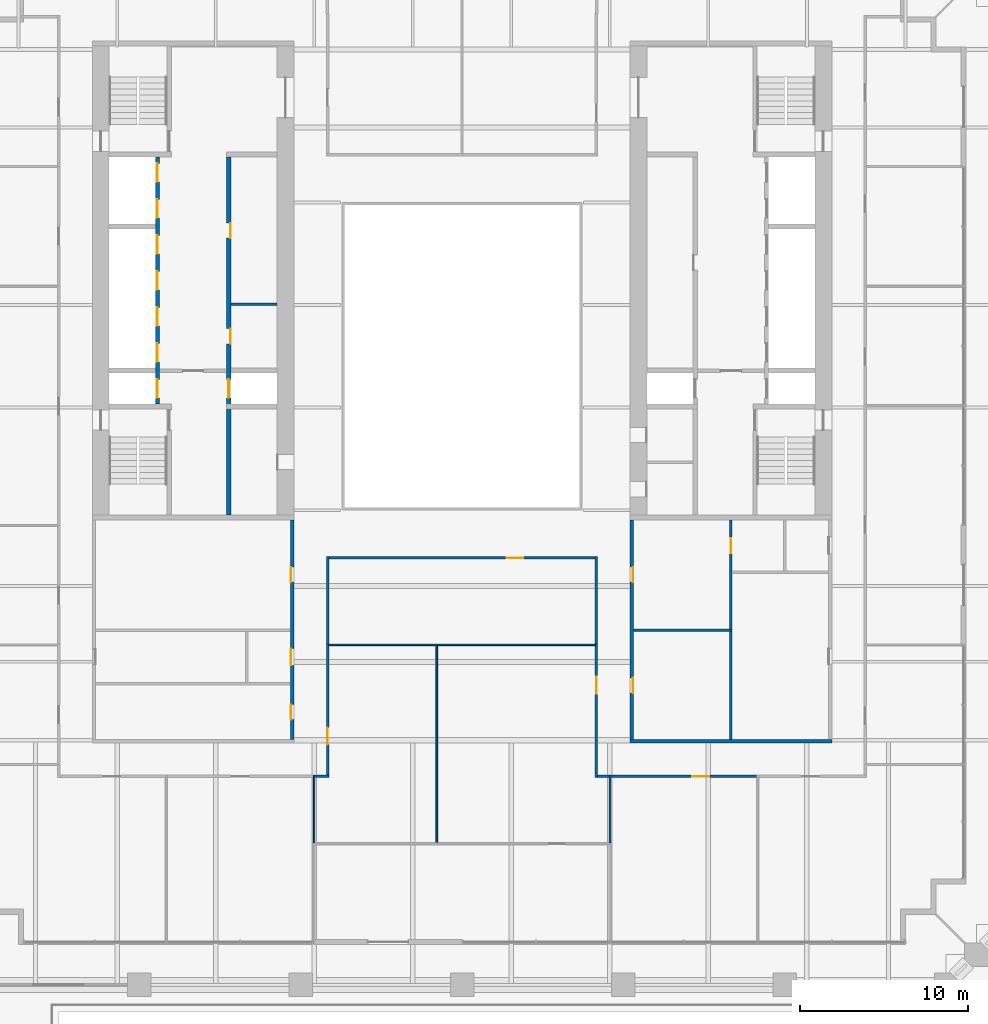
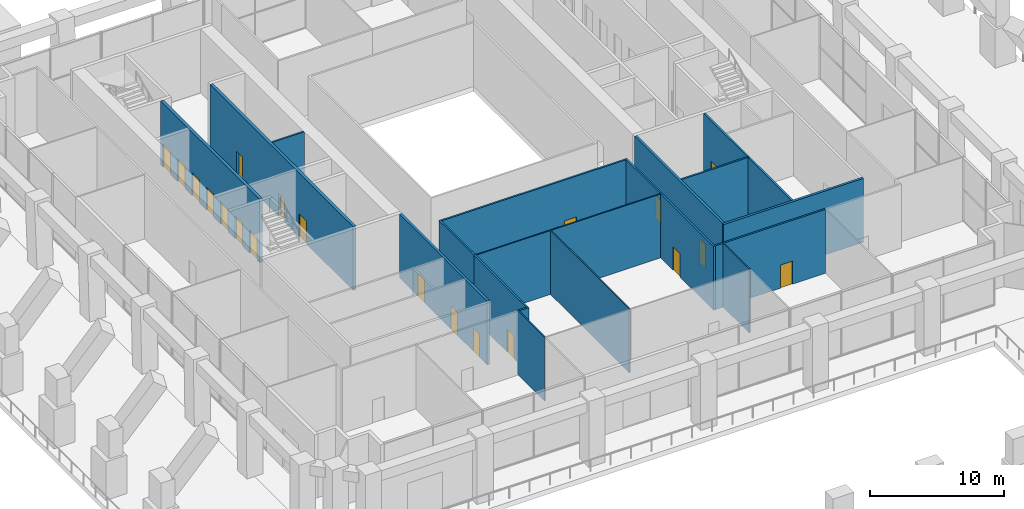
# One storey, part 13 of 20: 21 walls, 20 doors, 20 openings.
"""IFC4 building model written with IfcOpenShell, lengths in metres."""

from ifc_helpers import new_model, si_unit, direction, frame, frame_2d, origin, place, context, subcontext, project, spatial, rectangle, extrude, material, layer, layer_set, type_object, element, fill, save


model = new_model("IFC4")

# Units and contexts
model_context = context("Model", 3, precision=1e-05, world=origin(), true_north=direction((0.0, 1.0)))
body_context = subcontext(model_context, "Body", "Model", "MODEL_VIEW")
ifc_project = project(units=[si_unit("LENGTHUNIT", "METRE"), si_unit("AREAUNIT", "SQUARE_METRE"), si_unit("VOLUMEUNIT", "CUBIC_METRE"), si_unit("PLANEANGLEUNIT", "RADIAN"), si_unit("MASSUNIT", "GRAM", prefix="KILO")], contexts=[model_context])

# Site, building, storey
site_placement = place(None, origin())
site = spatial("IfcSite", under=ifc_project, at=site_placement, CompositionType="ELEMENT")
building_placement = place(site_placement, origin())
building = spatial("IfcBuilding", under=site, at=building_placement, Name="Ogive Exchange Tower", CompositionType="ELEMENT")
storey_placement = place(building_placement, frame((0.0, 0.0, 33.60009765625)))
storey = spatial("IfcBuildingStorey", under=building, at=storey_placement, Name="L06", CompositionType="ELEMENT", Elevation=33.60009765625)

# Wall
ifc_material_1 = material(Name="Gypsum board partition")
ifc_layer_1 = layer(ifc_material_1, 0.14990234375)
ifc_layer_set_1 = layer_set([ifc_layer_1], Name="Core room partition 150 gypsum")
wall_type_1 = type_object("IfcWallType", Name="Core room partition 150 gypsum", PredefinedType="PARTITIONING", material=ifc_layer_set_1)
wall_1_placement = place(storey_placement, frame((-13.75, 10.10009765625, 0.0), z_axis=(0.0, 0.0, 1.0), x_axis=(1.0, 0.0, 0.0)))
element("IfcWall", 1, at=wall_1_placement, inside=storey, type_object=wall_type_1, Name="W row B bay partition 1-1", PredefinedType="PARTITIONING", context=body_context, shape_type="SweptSolid", body=[
    extrude(rectangle(XDim=2.75, YDim=0.14990234375, at=frame_2d((1.375, 0.0))), origin(), (0.0, 0.0, 1.0), 5.7998046875),
])

# Wall, opening, door
wall_2_placement = place(storey_placement, frame((16.0, -15.800048828125, 0.0), z_axis=(0.0, 0.0, 1.0), x_axis=(0.0, 1.0, 0.0)))
wall_2 = element("IfcWall", 2, at=wall_2_placement, inside=storey, type_object=wall_type_1, Name="E annex S column wall", PredefinedType="PARTITIONING", context=body_context, shape_type="SweptSolid", body=[
    extrude(rectangle(XDim=13.050048828125, YDim=0.14990234375, at=frame_2d((6.52490234375, 0.0))), origin(), (0.0, 0.0, 1.0), 5.7998046875),
])
opening_1_placement = place(wall_2_placement, frame((11.08740234375, 0.0, 0.0)))
opening_1 = element("IfcOpeningElement", 3, at=opening_1_placement, cuts=wall_2, Name="Opening L06-C41", PredefinedType="OPENING", context=body_context, shape_type="SweptSolid", body=[
    extrude(rectangle(XDim=0.89990234375, YDim=2.10009765625, at=frame_2d((0.449951171875, 1.050048828125))), frame((0.0, 0.0849609375, 0.0), z_axis=(0.0, -1.0, 0.0), x_axis=(1.0, 0.0, 0.0)), (0.0, 0.0, 1.0), 0.169921875),
])
ifc_material_2 = material(Name="Steel fire door", Category="steel")
door_type_1 = type_object("IfcDoorType", Name="Riser door FD60 900 x 2100", OperationType="NOTDEFINED", PredefinedType="DOOR", material=ifc_material_2)
door_1_placement = place(opening_1_placement, origin())
door_1 = element("IfcDoor", 4, at=door_1_placement, inside=storey, type_object=door_type_1, Name="Riser door", ObjectType="CD2", OperationType="SINGLE_SWING_LEFT", OverallHeight=2.10009765625, OverallWidth=0.89990234375, PredefinedType="DOOR", context=body_context, shape_type="SweptSolid", body=[
    extrude(rectangle(XDim=0.89990234375, YDim=2.10009765625, at=frame_2d((0.449951171875, 1.050048828125))), frame((0.0, 0.02490234375, 0.0), z_axis=(0.0, -1.0, 0.0), x_axis=(1.0, 0.0, 0.0)), (0.0, 0.0, 1.0), 0.050048828125),
])
fill(opening_1, door_1)

# Walls
wall_3_placement = place(storey_placement, frame((10.199951171875, -9.300048828125, 0.0), z_axis=(0.0, 0.0, 1.0), x_axis=(1.0, 0.0, 0.0)))
element("IfcWall", 5, at=wall_3_placement, inside=storey, type_object=wall_type_1, Name="E annex S cross wall", PredefinedType="PARTITIONING", context=body_context, shape_type="SweptSolid", body=[
    extrude(rectangle(XDim=5.800048828125, YDim=0.14990234375, at=frame_2d((2.89990234375, 0.0))), origin(), (0.0, 0.0, 1.0), 5.7998046875),
])
ifc_material_3 = material(Name="Fire partition EI 60 150")
ifc_layer_2 = layer(ifc_material_3, 0.14990234375)
ifc_layer_set_2 = layer_set([ifc_layer_2], Name="Fire partition EI 60 150")
wall_type_2 = type_object("IfcWallType", Name="Fire partition EI 60 150", PredefinedType="PARTITIONING", material=ifc_layer_set_2)
wall_4_placement = place(storey_placement, frame((-7.925048828125, -18.0, 0.0), z_axis=(0.0, 0.0, 1.0), x_axis=(-1.0, 0.0, 0.0)))
element("IfcWall", 6, at=wall_4_placement, inside=storey, type_object=wall_type_2, Name="L06-PWL-020", PredefinedType="PARTITIONING", context=body_context, shape_type="SweptSolid", body=[
    extrude(rectangle(XDim=0.824951171875, YDim=0.14990234375, at=frame_2d((0.41259765625, 0.0))), origin(), (0.0, 0.0, 1.0), 5.7998046875),
])

# Wall, opening, door
wall_5_placement = place(storey_placement, frame((-8.0, -10.1201171875, 0.0), z_axis=(0.0, 0.0, 1.0), x_axis=(0.0, -1.0, 0.0)))
wall_5 = element("IfcWall", 7, at=wall_5_placement, inside=storey, type_object=wall_type_2, Name="L06-PWL-021", PredefinedType="PARTITIONING", context=body_context, shape_type="SweptSolid", body=[
    extrude(rectangle(XDim=7.804931640625, YDim=0.14990234375, at=frame_2d((3.90234375, 0.0))), origin(), (0.0, 0.0, 1.0), 5.7998046875),
])
opening_2_placement = place(wall_5_placement, frame((4.97998046875, 0.0, 0.0)))
opening_2 = element("IfcOpeningElement", 8, at=opening_2_placement, cuts=wall_5, Name="Opening L06-I17", PredefinedType="OPENING", context=body_context, shape_type="SweptSolid", body=[
    extrude(rectangle(XDim=1.0, YDim=2.10009765625, at=frame_2d((0.5, 1.050048828125))), frame((0.0, 0.0849609375, 0.0), z_axis=(0.0, -1.0, 0.0), x_axis=(1.0, 0.0, 0.0)), (0.0, 0.0, 1.0), 0.169921875),
])
ifc_material_4 = material(Name="Fire door FD 30S 1000 x 2100")
door_type_2 = type_object("IfcDoorType", Name="Fire door FD 30S 1000 x 2100", OperationType="NOTDEFINED", PredefinedType="DOOR", material=ifc_material_4)
door_2_placement = place(opening_2_placement, origin())
door_2 = element("IfcDoor", 9, at=door_2_placement, inside=storey, type_object=door_type_2, Name="L06-IDR-017", ObjectType="DT3", OperationType="SINGLE_SWING_LEFT", OverallHeight=2.10009765625, OverallWidth=1.0, PredefinedType="DOOR", context=body_context, shape_type="SweptSolid", body=[
    extrude(rectangle(XDim=1.0, YDim=2.10009765625, at=frame_2d((0.5, 1.050048828125))), frame((0.0, 0.02490234375, 0.0), z_axis=(0.0, -1.0, 0.0), x_axis=(1.0, 0.0, 0.0)), (0.0, 0.0, 1.0), 0.050048828125),
])
fill(opening_2, door_2)

# Wall
wall_6_placement = place(storey_placement, frame((-8.0, -4.925048828125, 0.0), z_axis=(0.0, 0.0, 1.0), x_axis=(0.0, -1.0, 0.0)))
element("IfcWall", 10, at=wall_6_placement, inside=storey, type_object=wall_type_2, Name="L06-PWL-022", PredefinedType="PARTITIONING", context=body_context, shape_type="SweptSolid", body=[
    extrude(rectangle(XDim=5.195068359375, YDim=0.14990234375, at=frame_2d((2.59765625, 0.0))), origin(), (0.0, 0.0, 1.0), 5.7998046875),
])

# Wall, opening, door
wall_7_placement = place(storey_placement, frame((8.0, -18.074951171875, 0.0), z_axis=(0.0, 0.0, 1.0), x_axis=(0.0, 1.0, 0.0)))
wall_7 = element("IfcWall", 11, at=wall_7_placement, inside=storey, type_object=wall_type_2, Name="L06-PWL-030", PredefinedType="PARTITIONING", context=body_context, shape_type="SweptSolid", body=[
    extrude(rectangle(XDim=7.954833984375, YDim=0.14990234375, at=frame_2d((3.9775390625, 0.0))), origin(), (0.0, 0.0, 1.0), 5.7998046875),
])
opening_3_placement = place(wall_7_placement, frame((5.0048828125, 0.0, 0.0)))
opening_3 = element("IfcOpeningElement", 12, at=opening_3_placement, cuts=wall_7, Name="Opening L06-I16", PredefinedType="OPENING", context=body_context, shape_type="SweptSolid", body=[
    extrude(rectangle(XDim=1.0, YDim=2.10009765625, at=frame_2d((0.5, 1.050048828125))), frame((0.0, 0.0849609375, 0.0), z_axis=(0.0, -1.0, 0.0), x_axis=(1.0, 0.0, 0.0)), (0.0, 0.0, 1.0), 0.169921875),
])
door_3_placement = place(opening_3_placement, origin())
door_3 = element("IfcDoor", 13, at=door_3_placement, inside=storey, type_object=door_type_2, Name="L06-IDR-016", ObjectType="DT3", OperationType="SINGLE_SWING_LEFT", OverallHeight=2.10009765625, OverallWidth=1.0, PredefinedType="DOOR", context=body_context, shape_type="SweptSolid", body=[
    extrude(rectangle(XDim=1.0, YDim=2.10009765625, at=frame_2d((0.5, 1.050048828125))), frame((0.0, 0.02490234375, 0.0), z_axis=(0.0, -1.0, 0.0), x_axis=(1.0, 0.0, 0.0)), (0.0, 0.0, 1.0), 0.050048828125),
])
fill(opening_3, door_3)

# Wall
wall_8_placement = place(storey_placement, frame((8.0, -10.1201171875, 0.0), z_axis=(0.0, 0.0, 1.0), x_axis=(0.0, 1.0, 0.0)))
element("IfcWall", 14, at=wall_8_placement, inside=storey, type_object=wall_type_2, Name="L06-PWL-032", PredefinedType="PARTITIONING", context=body_context, shape_type="SweptSolid", body=[
    extrude(rectangle(XDim=5.195068359375, YDim=0.14990234375, at=frame_2d((2.59765625, 0.0))), origin(), (0.0, 0.0, 1.0), 5.7998046875),
])

# Wall, opening, door
wall_9_placement = place(storey_placement, frame((7.925048828125, -5.0, 0.0), z_axis=(0.0, 0.0, 1.0), x_axis=(-1.0, 0.0, 0.0)))
wall_9 = element("IfcWall", 15, at=wall_9_placement, inside=storey, type_object=wall_type_2, Name="L06-PWL-033", PredefinedType="PARTITIONING", context=body_context, shape_type="SweptSolid", body=[
    extrude(rectangle(XDim=15.85009765625, YDim=0.14990234375, at=frame_2d((7.925048828125, 0.0))), origin(), (0.0, 0.0, 1.0), 5.7998046875),
])
opening_4_placement = place(wall_9_placement, frame((4.27490234375, 0.0, 0.0)))
opening_4 = element("IfcOpeningElement", 16, at=opening_4_placement, cuts=wall_9, Name="Opening L06-I12", PredefinedType="OPENING", context=body_context, shape_type="SweptSolid", body=[
    extrude(rectangle(XDim=1.0, YDim=2.10009765625, at=frame_2d((0.5, 1.050048828125))), frame((0.0, 0.0849609375, 0.0), z_axis=(0.0, -1.0, 0.0), x_axis=(1.0, 0.0, 0.0)), (0.0, 0.0, 1.0), 0.169921875),
])
door_4_placement = place(opening_4_placement, origin())
door_4 = element("IfcDoor", 17, at=door_4_placement, inside=storey, type_object=door_type_2, Name="L06-IDR-012", ObjectType="DT3", OperationType="SINGLE_SWING_RIGHT", OverallHeight=2.10009765625, OverallWidth=1.0, PredefinedType="DOOR", context=body_context, shape_type="SweptSolid", body=[
    extrude(rectangle(XDim=1.0, YDim=2.10009765625, at=frame_2d((0.5, 1.050048828125))), frame((0.0, 0.02490234375, 0.0), z_axis=(0.0, -1.0, 0.0), x_axis=(1.0, 0.0, 0.0)), (0.0, 0.0, 1.0), 0.050048828125),
])
fill(opening_4, door_4)

# Wall
wall_10_placement = place(storey_placement, frame((8.75, -18.0, 0.0), z_axis=(0.0, 0.0, 1.0), x_axis=(-1.0, 0.0, 0.0)))
element("IfcWall", 18, at=wall_10_placement, inside=storey, type_object=wall_type_2, Name="L06-PWL-038", PredefinedType="PARTITIONING", context=body_context, shape_type="SweptSolid", body=[
    extrude(rectangle(XDim=0.675048828125, YDim=0.14990234375, at=frame_2d((0.33740234375, 0.0))), origin(), (0.0, 0.0, 1.0), 5.7998046875),
])

# Wall, opening, door
wall_11_placement = place(storey_placement, frame((17.550048828125, -18.0, 0.0), z_axis=(0.0, 0.0, 1.0), x_axis=(-1.0, 0.0, 0.0)))
wall_11 = element("IfcWall", 19, at=wall_11_placement, inside=storey, type_object=wall_type_2, Name="L06-PWL-040", PredefinedType="PARTITIONING", context=body_context, shape_type="SweptSolid", body=[
    extrude(rectangle(XDim=8.699951171875, YDim=0.14990234375, at=frame_2d((4.35009765625, 0.0))), origin(), (0.0, 0.0, 1.0), 5.7998046875),
])
opening_5_placement = place(wall_11_placement, frame((2.85009765625, 0.0, 0.0)))
opening_5 = element("IfcOpeningElement", 20, at=opening_5_placement, cuts=wall_11, Name="Opening L06-I14", PredefinedType="OPENING", context=body_context, shape_type="SweptSolid", body=[
    extrude(rectangle(XDim=1.0, YDim=2.10009765625, at=frame_2d((0.5, 1.050048828125))), frame((0.0, 0.0849609375, 0.0), z_axis=(0.0, -1.0, 0.0), x_axis=(1.0, 0.0, 0.0)), (0.0, 0.0, 1.0), 0.169921875),
])
door_5_placement = place(opening_5_placement, origin())
door_5 = element("IfcDoor", 21, at=door_5_placement, inside=storey, type_object=door_type_2, Name="L06-IDR-014", ObjectType="DT3", OperationType="SINGLE_SWING_RIGHT", OverallHeight=2.10009765625, OverallWidth=1.0, PredefinedType="DOOR", context=body_context, shape_type="SweptSolid", body=[
    extrude(rectangle(XDim=1.0, YDim=2.10009765625, at=frame_2d((0.5, 1.050048828125))), frame((0.0, 0.02490234375, 0.0), z_axis=(0.0, -1.0, 0.0), x_axis=(1.0, 0.0, 0.0)), (0.0, 0.0, 1.0), 0.050048828125),
])
fill(opening_5, door_5)

# Walls
ifc_material_5 = material(Name="Partition 100 gypsum")
ifc_layer_3 = layer(ifc_material_5, 0.10009765625)
ifc_layer_set_3 = layer_set([ifc_layer_3], Name="Partition 100 gypsum")
wall_type_3 = type_object("IfcWallType", Name="Partition 100 gypsum", PredefinedType="PARTITIONING", material=ifc_layer_set_3)
wall_12_placement = place(storey_placement, frame((-8.800048828125, -21.949951171875, 0.0), z_axis=(0.0, 0.0, 1.0), x_axis=(0.0, 1.0, 0.0)))
element("IfcWall", 22, at=wall_12_placement, inside=storey, type_object=wall_type_3, Name="L06-PWL-016", PredefinedType="PARTITIONING", context=body_context, shape_type="SweptSolid", body=[
    extrude(rectangle(XDim=4.02490234375, YDim=0.10009765625, at=frame_2d((2.012451171875, 0.0))), origin(), (0.0, 0.0, 1.0), 5.7998046875),
])
wall_13_placement = place(storey_placement, frame((-1.5, -21.949951171875, 0.0), z_axis=(0.0, 0.0, 1.0), x_axis=(0.0, 1.0, 0.0)))
element("IfcWall", 23, at=wall_13_placement, inside=storey, type_object=wall_type_3, Name="L06-PWL-025", PredefinedType="PARTITIONING", context=body_context, shape_type="SweptSolid", body=[
    extrude(rectangle(XDim=11.829833984375, YDim=0.10009765625, at=frame_2d((5.9150390625, 0.0))), origin(), (0.0, 0.0, 1.0), 5.7998046875),
])
wall_14_placement = place(storey_placement, frame((-1.550048828125, -10.169921875, 0.0), z_axis=(0.0, 0.0, 1.0), x_axis=(-1.0, 0.0, 0.0)))
element("IfcWall", 24, at=wall_14_placement, inside=storey, type_object=wall_type_3, Name="L06-PWL-027", PredefinedType="PARTITIONING", context=body_context, shape_type="SweptSolid", body=[
    extrude(rectangle(XDim=6.375, YDim=0.10009765625, at=frame_2d((3.1875, 0.0))), origin(), (0.0, 0.0, 1.0), 5.7998046875),
])
wall_15_placement = place(storey_placement, frame((7.925048828125, -10.169921875, 0.0), z_axis=(0.0, 0.0, 1.0), x_axis=(-1.0, 0.0, 0.0)))
element("IfcWall", 25, at=wall_15_placement, inside=storey, type_object=wall_type_3, Name="L06-PWL-031", PredefinedType="PARTITIONING", context=body_context, shape_type="SweptSolid", body=[
    extrude(rectangle(XDim=9.375, YDim=0.10009765625, at=frame_2d((4.6875, 0.0))), origin(), (0.0, 0.0, 1.0), 5.7998046875),
])
wall_16_placement = place(storey_placement, frame((8.800048828125, -21.949951171875, 0.0), z_axis=(0.0, 0.0, 1.0), x_axis=(0.0, 1.0, 0.0)))
element("IfcWall", 26, at=wall_16_placement, inside=storey, type_object=wall_type_3, Name="L06-PWL-037", PredefinedType="PARTITIONING", context=body_context, shape_type="SweptSolid", body=[
    extrude(rectangle(XDim=4.02490234375, YDim=0.10009765625, at=frame_2d((2.012451171875, 0.0))), origin(), (0.0, 0.0, 1.0), 5.7998046875),
])

# Wall, openings, doors
ifc_material_6 = material(Name="Concrete C70/85", Category="concrete")
ifc_layer_4 = layer(ifc_material_6, 0.199951171875)
ifc_layer_set_4 = layer_set([ifc_layer_4], Name="RC core wall 200 C70/85")
wall_type_4 = type_object("IfcWallType", Name="RC core wall 200 C70/85", PredefinedType="SHEAR", material=ifc_layer_set_4)
wall_17_placement = place(storey_placement, frame((-10.10009765625, -15.800048828125, 0.0), z_axis=(0.0, 0.0, 1.0), x_axis=(0.0, 1.0, 0.0)))
wall_17 = element("IfcWall", 27, at=wall_17_placement, inside=storey, type_object=wall_type_4, Name="W annex S inner wall", PredefinedType="SHEAR", context=body_context, shape_type="SweptSolid", body=[
    extrude(rectangle(XDim=13.050048828125, YDim=0.199951171875, at=frame_2d((6.52490234375, 0.0))), origin(), (0.0, 0.0, 1.0), 5.7998046875),
])
opening_6_placement = place(wall_17_placement, frame((1.175048828125, 0.0, 0.0)))
opening_6 = element("IfcOpeningElement", 28, at=opening_6_placement, cuts=wall_17, Name="Opening L06-C18", PredefinedType="OPENING", context=body_context, shape_type="SweptSolid", body=[
    extrude(rectangle(XDim=0.89990234375, YDim=2.10009765625, at=frame_2d((0.449951171875, 1.050048828125))), frame((0.0, 0.10986328125, 0.0), z_axis=(0.0, -1.0, 0.0), x_axis=(1.0, 0.0, 0.0)), (0.0, 0.0, 1.0), 0.219970703125),
])
opening_7_placement = place(wall_17_placement, frame((4.41259765625, 0.0, 0.0)))
opening_7 = element("IfcOpeningElement", 29, at=opening_7_placement, cuts=wall_17, Name="Opening L06-C19", PredefinedType="OPENING", context=body_context, shape_type="SweptSolid", body=[
    extrude(rectangle(XDim=1.0, YDim=2.10009765625, at=frame_2d((0.5, 1.050048828125))), frame((0.0, 0.10986328125, 0.0), z_axis=(0.0, -1.0, 0.0), x_axis=(1.0, 0.0, 0.0)), (0.0, 0.0, 1.0), 0.219970703125),
])
opening_8_placement = place(wall_17_placement, frame((9.362548828125, 0.0, 0.0)))
opening_8 = element("IfcOpeningElement", 30, at=opening_8_placement, cuts=wall_17, Name="Opening L06-C21", PredefinedType="OPENING", context=body_context, shape_type="SweptSolid", body=[
    extrude(rectangle(XDim=0.89990234375, YDim=2.10009765625, at=frame_2d((0.449951171875, 1.050048828125))), frame((0.0, 0.10986328125, 0.0), z_axis=(0.0, -1.0, 0.0), x_axis=(1.0, 0.0, 0.0)), (0.0, 0.0, 1.0), 0.219970703125),
])
ifc_material_7 = material(Name="Timber fire door", Category="wood")
door_type_3 = type_object("IfcDoorType", Name="Accessible WC door FD30S 1000 x 2100", OperationType="NOTDEFINED", PredefinedType="DOOR", material=ifc_material_7)
door_6_placement = place(opening_7_placement, origin())
door_6 = element("IfcDoor", 31, at=door_6_placement, inside=storey, type_object=door_type_3, Name="Accessible WC door", ObjectType="CD7", OperationType="SINGLE_SWING_RIGHT", OverallHeight=2.10009765625, OverallWidth=1.0, PredefinedType="DOOR", context=body_context, shape_type="SweptSolid", body=[
    extrude(rectangle(XDim=1.0, YDim=2.10009765625, at=frame_2d((0.5, 1.050048828125))), frame((0.0, 0.10009765625, 0.0), z_axis=(0.0, -1.0, 0.0), x_axis=(1.0, 0.0, 0.0)), (0.0, 0.0, 1.0), 0.050048828125),
])
fill(opening_7, door_6)
door_type_4 = type_object("IfcDoorType", Name="Core room door FD30S 900 x 2100", OperationType="NOTDEFINED", PredefinedType="DOOR", material=ifc_material_7)
door_7_placement = place(opening_8_placement, origin())
door_7 = element("IfcDoor", 32, at=door_7_placement, inside=storey, type_object=door_type_4, Name="Core room door", ObjectType="CD6", OperationType="SINGLE_SWING_LEFT", OverallHeight=2.10009765625, OverallWidth=0.89990234375, PredefinedType="DOOR", context=body_context, shape_type="SweptSolid", body=[
    extrude(rectangle(XDim=0.89990234375, YDim=2.10009765625, at=frame_2d((0.449951171875, 1.050048828125))), frame((0.0, 0.10009765625, 0.0), z_axis=(0.0, -1.0, 0.0), x_axis=(1.0, 0.0, 0.0)), (0.0, 0.0, 1.0), 0.050048828125),
])
fill(opening_8, door_7)
door_8_placement = place(opening_6_placement, origin())
door_8 = element("IfcDoor", 33, at=door_8_placement, inside=storey, type_object=door_type_1, Name="Riser door", ObjectType="CD2", OperationType="SINGLE_SWING_RIGHT", OverallHeight=2.10009765625, OverallWidth=0.89990234375, PredefinedType="DOOR", context=body_context, shape_type="SweptSolid", body=[
    extrude(rectangle(XDim=0.89990234375, YDim=2.10009765625, at=frame_2d((0.449951171875, 1.050048828125))), frame((0.0, 0.10009765625, 0.0), z_axis=(0.0, -1.0, 0.0), x_axis=(1.0, 0.0, 0.0)), (0.0, 0.0, 1.0), 0.050048828125),
])
fill(opening_6, door_8)

wall_18_placement = place(storey_placement, frame((10.10009765625, -15.800048828125, 0.0), z_axis=(0.0, 0.0, 1.0), x_axis=(0.0, 1.0, 0.0)))
wall_18 = element("IfcWall", 34, at=wall_18_placement, inside=storey, type_object=wall_type_4, Name="E annex S inner wall", PredefinedType="SHEAR", context=body_context, shape_type="SweptSolid", body=[
    extrude(rectangle(XDim=13.050048828125, YDim=0.199951171875, at=frame_2d((6.52490234375, 0.0))), origin(), (0.0, 0.0, 1.0), 5.7998046875),
])
opening_9_placement = place(wall_18_placement, frame((2.762451171875, 0.0, 0.0)))
opening_9 = element("IfcOpeningElement", 35, at=opening_9_placement, cuts=wall_18, Name="Opening L06-C42", PredefinedType="OPENING", context=body_context, shape_type="SweptSolid", body=[
    extrude(rectangle(XDim=0.89990234375, YDim=2.10009765625, at=frame_2d((0.449951171875, 1.050048828125))), frame((0.0, 0.10986328125, 0.0), z_axis=(0.0, -1.0, 0.0), x_axis=(1.0, 0.0, 0.0)), (0.0, 0.0, 1.0), 0.219970703125),
])
opening_10_placement = place(wall_18_placement, frame((9.362548828125, 0.0, 0.0)))
opening_10 = element("IfcOpeningElement", 36, at=opening_10_placement, cuts=wall_18, Name="Opening L06-C43", PredefinedType="OPENING", context=body_context, shape_type="SweptSolid", body=[
    extrude(rectangle(XDim=0.89990234375, YDim=2.10009765625, at=frame_2d((0.449951171875, 1.050048828125))), frame((0.0, 0.10986328125, 0.0), z_axis=(0.0, -1.0, 0.0), x_axis=(1.0, 0.0, 0.0)), (0.0, 0.0, 1.0), 0.219970703125),
])
door_9_placement = place(opening_9_placement, frame((0.89990234375, -0.14990234375, 0.0), z_axis=(0.0, 0.0, 1.0), x_axis=(-1.0, 0.0, 0.0)))
door_9 = element("IfcDoor", 37, at=door_9_placement, inside=storey, type_object=door_type_1, Name="Riser door", ObjectType="CD2", OperationType="SINGLE_SWING_RIGHT", OverallHeight=2.10009765625, OverallWidth=0.89990234375, PredefinedType="DOOR", context=body_context, shape_type="SweptSolid", body=[
    extrude(rectangle(XDim=0.89990234375, YDim=2.10009765625, at=frame_2d((0.449951171875, 1.050048828125))), frame((0.0, -0.0498046875, 0.0), z_axis=(0.0, -1.0, 0.0), x_axis=(1.0, 0.0, 0.0)), (0.0, 0.0, 1.0), 0.050048828125),
])
fill(opening_9, door_9)
door_10_placement = place(opening_10_placement, frame((0.89990234375, -0.14990234375, 0.0), z_axis=(0.0, 0.0, 1.0), x_axis=(-1.0, 0.0, 0.0)))
door_10 = element("IfcDoor", 38, at=door_10_placement, inside=storey, type_object=door_type_1, Name="Riser door", ObjectType="CD2", OperationType="SINGLE_SWING_RIGHT", OverallHeight=2.10009765625, OverallWidth=0.89990234375, PredefinedType="DOOR", context=body_context, shape_type="SweptSolid", body=[
    extrude(rectangle(XDim=0.89990234375, YDim=2.10009765625, at=frame_2d((0.449951171875, 1.050048828125))), frame((0.0, -0.0498046875, 0.0), z_axis=(0.0, -1.0, 0.0), x_axis=(1.0, 0.0, 0.0)), (0.0, 0.0, 1.0), 0.050048828125),
])
fill(opening_10, door_10)

# Wall
wall_19_placement = place(storey_placement, frame((10.0, -15.89990234375, 0.0), z_axis=(0.0, 0.0, 1.0), x_axis=(1.0, 0.0, 0.0)))
element("IfcWall", 39, at=wall_19_placement, inside=storey, type_object=wall_type_4, Name="E annex S end wall", PredefinedType="SHEAR", context=body_context, shape_type="SweptSolid", body=[
    extrude(rectangle(XDim=12.0, YDim=0.199951171875, at=frame_2d((6.0, 0.0))), origin(), (0.0, 0.0, 1.0), 5.7998046875),
])

# Wall, openings, doors
ifc_layer_5 = layer(ifc_material_6, 0.25)
ifc_layer_set_5 = layer_set([ifc_layer_5], Name="RC core wall 250 C70/85")
wall_type_5 = type_object("IfcWallType", Name="RC core wall 250 C70/85", PredefinedType="SHEAR", material=ifc_layer_set_5)
wall_20_placement = place(storey_placement, frame((-18.125, 4.14990234375, 0.0), z_axis=(0.0, 0.0, 1.0), x_axis=(0.0, 1.0, 0.0)))
wall_20 = element("IfcWall", 40, at=wall_20_placement, inside=storey, type_object=wall_type_5, Name="W row A front wall", PredefinedType="SHEAR", context=body_context, shape_type="SweptSolid", body=[
    extrude(rectangle(XDim=14.7001953125, YDim=0.25, at=frame_2d((7.35009765625, 0.0))), origin(), (0.0, 0.0, 1.0), 5.7998046875),
])
opening_11_placement = place(wall_20_placement, frame((0.371337890625, 0.0, 0.0)))
opening_11 = element("IfcOpeningElement", 41, at=opening_11_placement, cuts=wall_20, Name="Opening L06-C01", PredefinedType="OPENING", context=body_context, shape_type="SweptSolid", body=[
    extrude(rectangle(XDim=1.10009765625, YDim=2.10009765625, at=frame_2d((0.550048828125, 1.050048828125))), frame((0.0, 0.135009765625, 0.0), z_axis=(0.0, -1.0, 0.0), x_axis=(1.0, 0.0, 0.0)), (0.0, 0.0, 1.0), 0.27001953125),
])
opening_12_placement = place(wall_20_placement, frame((2.514404296875, 0.0, 0.0)))
opening_12 = element("IfcOpeningElement", 42, at=opening_12_placement, cuts=wall_20, Name="Opening L06-C02", PredefinedType="OPENING", context=body_context, shape_type="SweptSolid", body=[
    extrude(rectangle(XDim=1.10009765625, YDim=2.10009765625, at=frame_2d((0.550048828125, 1.050048828125))), frame((0.0, 0.135009765625, 0.0), z_axis=(0.0, -1.0, 0.0), x_axis=(1.0, 0.0, 0.0)), (0.0, 0.0, 1.0), 0.27001953125),
])
opening_13_placement = place(wall_20_placement, frame((4.656982421875, 0.0, 0.0)))
opening_13 = element("IfcOpeningElement", 43, at=opening_13_placement, cuts=wall_20, Name="Opening L06-C03", PredefinedType="OPENING", context=body_context, shape_type="SweptSolid", body=[
    extrude(rectangle(XDim=1.10009765625, YDim=2.10009765625, at=frame_2d((0.550048828125, 1.050048828125))), frame((0.0, 0.135009765625, 0.0), z_axis=(0.0, -1.0, 0.0), x_axis=(1.0, 0.0, 0.0)), (0.0, 0.0, 1.0), 0.27001953125),
])
opening_14_placement = place(wall_20_placement, frame((6.800048828125, 0.0, 0.0)))
opening_14 = element("IfcOpeningElement", 44, at=opening_14_placement, cuts=wall_20, Name="Opening L06-C04", PredefinedType="OPENING", context=body_context, shape_type="SweptSolid", body=[
    extrude(rectangle(XDim=1.10009765625, YDim=2.10009765625, at=frame_2d((0.550048828125, 1.050048828125))), frame((0.0, 0.135009765625, 0.0), z_axis=(0.0, -1.0, 0.0), x_axis=(1.0, 0.0, 0.0)), (0.0, 0.0, 1.0), 0.27001953125),
])
opening_15_placement = place(wall_20_placement, frame((8.94287109375, 0.0, 0.0)))
opening_15 = element("IfcOpeningElement", 45, at=opening_15_placement, cuts=wall_20, Name="Opening L06-C05", PredefinedType="OPENING", context=body_context, shape_type="SweptSolid", body=[
    extrude(rectangle(XDim=1.10009765625, YDim=2.10009765625, at=frame_2d((0.550048828125, 1.050048828125))), frame((0.0, 0.135009765625, 0.0), z_axis=(0.0, -1.0, 0.0), x_axis=(1.0, 0.0, 0.0)), (0.0, 0.0, 1.0), 0.27001953125),
])
opening_16_placement = place(wall_20_placement, frame((11.085693359375, 0.0, 0.0)))
opening_16 = element("IfcOpeningElement", 46, at=opening_16_placement, cuts=wall_20, Name="Opening L06-C06", PredefinedType="OPENING", context=body_context, shape_type="SweptSolid", body=[
    extrude(rectangle(XDim=1.10009765625, YDim=2.10009765625, at=frame_2d((0.550048828125, 1.050048828125))), frame((0.0, 0.135009765625, 0.0), z_axis=(0.0, -1.0, 0.0), x_axis=(1.0, 0.0, 0.0)), (0.0, 0.0, 1.0), 0.27001953125),
])
opening_17_placement = place(wall_20_placement, frame((13.228515625, 0.0, 0.0)))
opening_17 = element("IfcOpeningElement", 47, at=opening_17_placement, cuts=wall_20, Name="Opening L06-C07", PredefinedType="OPENING", context=body_context, shape_type="SweptSolid", body=[
    extrude(rectangle(XDim=1.10009765625, YDim=2.10009765625, at=frame_2d((0.550048828125, 1.050048828125))), frame((0.0, 0.135009765625, 0.0), z_axis=(0.0, -1.0, 0.0), x_axis=(1.0, 0.0, 0.0)), (0.0, 0.0, 1.0), 0.27001953125),
])
ifc_material_8 = material(Name="Stainless steel", Category="steel")
door_type_5 = type_object("IfcDoorType", Name="Lift landing door FD90 1100 x 2100", OperationType="SLIDING_TO_LEFT", PredefinedType="DOOR", material=ifc_material_8)
door_11_placement = place(opening_11_placement, origin())
door_11 = element("IfcDoor", 48, at=door_11_placement, inside=storey, type_object=door_type_5, Name="Lift landing door FF1", ObjectType="LD", OperationType="SLIDING_TO_LEFT", OverallHeight=2.10009765625, OverallWidth=1.10009765625, PredefinedType="DOOR", context=body_context, shape_type="SweptSolid", body=[
    extrude(rectangle(XDim=1.10009765625, YDim=2.10009765625, at=frame_2d((0.550048828125, 1.050048828125))), frame((0.0, 0.02490234375, 0.0), z_axis=(0.0, -1.0, 0.0), x_axis=(1.0, 0.0, 0.0)), (0.0, 0.0, 1.0), 0.050048828125),
])
fill(opening_11, door_11)
door_12_placement = place(opening_12_placement, origin())
door_12 = element("IfcDoor", 49, at=door_12_placement, inside=storey, type_object=door_type_5, Name="Lift landing door W-L1", ObjectType="LD", OperationType="SLIDING_TO_LEFT", OverallHeight=2.10009765625, OverallWidth=1.10009765625, PredefinedType="DOOR", context=body_context, shape_type="SweptSolid", body=[
    extrude(rectangle(XDim=1.10009765625, YDim=2.10009765625, at=frame_2d((0.550048828125, 1.050048828125))), frame((0.0, 0.02490234375, 0.0), z_axis=(0.0, -1.0, 0.0), x_axis=(1.0, 0.0, 0.0)), (0.0, 0.0, 1.0), 0.050048828125),
])
fill(opening_12, door_12)
door_13_placement = place(opening_13_placement, origin())
door_13 = element("IfcDoor", 50, at=door_13_placement, inside=storey, type_object=door_type_5, Name="Lift landing door W-L2", ObjectType="LD", OperationType="SLIDING_TO_LEFT", OverallHeight=2.10009765625, OverallWidth=1.10009765625, PredefinedType="DOOR", context=body_context, shape_type="SweptSolid", body=[
    extrude(rectangle(XDim=1.10009765625, YDim=2.10009765625, at=frame_2d((0.550048828125, 1.050048828125))), frame((0.0, 0.02490234375, 0.0), z_axis=(0.0, -1.0, 0.0), x_axis=(1.0, 0.0, 0.0)), (0.0, 0.0, 1.0), 0.050048828125),
])
fill(opening_13, door_13)
door_14_placement = place(opening_14_placement, origin())
door_14 = element("IfcDoor", 51, at=door_14_placement, inside=storey, type_object=door_type_5, Name="Lift landing door W-L3", ObjectType="LD", OperationType="SLIDING_TO_LEFT", OverallHeight=2.10009765625, OverallWidth=1.10009765625, PredefinedType="DOOR", context=body_context, shape_type="SweptSolid", body=[
    extrude(rectangle(XDim=1.10009765625, YDim=2.10009765625, at=frame_2d((0.550048828125, 1.050048828125))), frame((0.0, 0.02490234375, 0.0), z_axis=(0.0, -1.0, 0.0), x_axis=(1.0, 0.0, 0.0)), (0.0, 0.0, 1.0), 0.050048828125),
])
fill(opening_14, door_14)
door_15_placement = place(opening_15_placement, origin())
door_15 = element("IfcDoor", 52, at=door_15_placement, inside=storey, type_object=door_type_5, Name="Lift landing door W-L4", ObjectType="LD", OperationType="SLIDING_TO_LEFT", OverallHeight=2.10009765625, OverallWidth=1.10009765625, PredefinedType="DOOR", context=body_context, shape_type="SweptSolid", body=[
    extrude(rectangle(XDim=1.10009765625, YDim=2.10009765625, at=frame_2d((0.550048828125, 1.050048828125))), frame((0.0, 0.02490234375, 0.0), z_axis=(0.0, -1.0, 0.0), x_axis=(1.0, 0.0, 0.0)), (0.0, 0.0, 1.0), 0.050048828125),
])
fill(opening_15, door_15)
door_16_placement = place(opening_16_placement, origin())
door_16 = element("IfcDoor", 53, at=door_16_placement, inside=storey, type_object=door_type_5, Name="Lift landing door W-SH1", ObjectType="LD", OperationType="SLIDING_TO_LEFT", OverallHeight=2.10009765625, OverallWidth=1.10009765625, PredefinedType="DOOR", context=body_context, shape_type="SweptSolid", body=[
    extrude(rectangle(XDim=1.10009765625, YDim=2.10009765625, at=frame_2d((0.550048828125, 1.050048828125))), frame((0.0, 0.02490234375, 0.0), z_axis=(0.0, -1.0, 0.0), x_axis=(1.0, 0.0, 0.0)), (0.0, 0.0, 1.0), 0.050048828125),
])
fill(opening_16, door_16)
door_17_placement = place(opening_17_placement, origin())
door_17 = element("IfcDoor", 54, at=door_17_placement, inside=storey, type_object=door_type_5, Name="Lift landing door W-SH2", ObjectType="LD", OperationType="SLIDING_TO_LEFT", OverallHeight=2.10009765625, OverallWidth=1.10009765625, PredefinedType="DOOR", context=body_context, shape_type="SweptSolid", body=[
    extrude(rectangle(XDim=1.10009765625, YDim=2.10009765625, at=frame_2d((0.550048828125, 1.050048828125))), frame((0.0, 0.02490234375, 0.0), z_axis=(0.0, -1.0, 0.0), x_axis=(1.0, 0.0, 0.0)), (0.0, 0.0, 1.0), 0.050048828125),
])
fill(opening_17, door_17)

wall_21_placement = place(storey_placement, frame((-13.875, -2.449951171875, 0.0), z_axis=(0.0, 0.0, 1.0), x_axis=(0.0, 1.0, 0.0)))
wall_21 = element("IfcWall", 55, at=wall_21_placement, inside=storey, type_object=wall_type_5, Name="W row B front wall", PredefinedType="SHEAR", context=body_context, shape_type="SweptSolid", body=[
    extrude(rectangle(XDim=21.300048828125, YDim=0.25, at=frame_2d((10.64990234375, 0.0))), origin(), (0.0, 0.0, 1.0), 5.7998046875),
])
opening_18_placement = place(wall_21_placement, frame((10.1962890625, 0.0, 0.0)))
opening_18 = element("IfcOpeningElement", 56, at=opening_18_placement, cuts=wall_21, Name="Opening L06-C08", PredefinedType="OPENING", context=body_context, shape_type="SweptSolid", body=[
    extrude(rectangle(XDim=0.89990234375, YDim=2.10009765625, at=frame_2d((0.449951171875, 1.050048828125))), frame((0.0, 0.135009765625, 0.0), z_axis=(0.0, -1.0, 0.0), x_axis=(1.0, 0.0, 0.0)), (0.0, 0.0, 1.0), 0.27001953125),
])
opening_19_placement = place(wall_21_placement, frame((16.47509765625, 0.0, 0.0)))
opening_19 = element("IfcOpeningElement", 57, at=opening_19_placement, cuts=wall_21, Name="Opening L06-C09", PredefinedType="OPENING", context=body_context, shape_type="SweptSolid", body=[
    extrude(rectangle(XDim=0.89990234375, YDim=2.10009765625, at=frame_2d((0.449951171875, 1.050048828125))), frame((0.0, 0.135009765625, 0.0), z_axis=(0.0, -1.0, 0.0), x_axis=(1.0, 0.0, 0.0)), (0.0, 0.0, 1.0), 0.27001953125),
])
opening_20_placement = place(wall_21_placement, frame((6.971435546875, 0.0, 0.0)))
opening_20 = element("IfcOpeningElement", 58, at=opening_20_placement, cuts=wall_21, Name="Opening L06-C10", PredefinedType="OPENING", context=body_context, shape_type="SweptSolid", body=[
    extrude(rectangle(XDim=1.10009765625, YDim=2.10009765625, at=frame_2d((0.550048828125, 1.050048828125))), frame((0.0, 0.135009765625, 0.0), z_axis=(0.0, -1.0, 0.0), x_axis=(1.0, 0.0, 0.0)), (0.0, 0.0, 1.0), 0.27001953125),
])
door_18_placement = place(opening_18_placement, frame((0.89990234375, -0.2001953125, 0.0), z_axis=(0.0, 0.0, 1.0), x_axis=(-1.0, 0.0, 0.0)))
door_18 = element("IfcDoor", 59, at=door_18_placement, inside=storey, type_object=door_type_4, Name="Core room door", ObjectType="CD6", OperationType="SINGLE_SWING_RIGHT", OverallHeight=2.10009765625, OverallWidth=0.89990234375, PredefinedType="DOOR", context=body_context, shape_type="SweptSolid", body=[
    extrude(rectangle(XDim=0.89990234375, YDim=2.10009765625, at=frame_2d((0.449951171875, 1.050048828125))), frame((0.0, -0.0751953125, 0.0), z_axis=(0.0, -1.0, 0.0), x_axis=(1.0, 0.0, 0.0)), (0.0, 0.0, 1.0), 0.050048828125),
])
fill(opening_18, door_18)
door_19_placement = place(opening_20_placement, origin())
door_19 = element("IfcDoor", 60, at=door_19_placement, inside=storey, type_object=door_type_5, Name="Lift landing door SV1", ObjectType="LD", OperationType="SLIDING_TO_LEFT", OverallHeight=2.10009765625, OverallWidth=1.10009765625, PredefinedType="DOOR", context=body_context, shape_type="SweptSolid", body=[
    extrude(rectangle(XDim=1.10009765625, YDim=2.10009765625, at=frame_2d((0.550048828125, 1.050048828125))), frame((0.0, 0.02490234375, 0.0), z_axis=(0.0, -1.0, 0.0), x_axis=(1.0, 0.0, 0.0)), (0.0, 0.0, 1.0), 0.050048828125),
])
fill(opening_20, door_19)
door_20_placement = place(opening_19_placement, frame((0.89990234375, -0.2001953125, 0.0), z_axis=(0.0, 0.0, 1.0), x_axis=(-1.0, 0.0, 0.0)))
door_20 = element("IfcDoor", 61, at=door_20_placement, inside=storey, type_object=door_type_1, Name="Riser door", ObjectType="CD2", OperationType="SINGLE_SWING_RIGHT", OverallHeight=2.10009765625, OverallWidth=0.89990234375, PredefinedType="DOOR", context=body_context, shape_type="SweptSolid", body=[
    extrude(rectangle(XDim=0.89990234375, YDim=2.10009765625, at=frame_2d((0.449951171875, 1.050048828125))), frame((0.0, -0.0751953125, 0.0), z_axis=(0.0, -1.0, 0.0), x_axis=(1.0, 0.0, 0.0)), (0.0, 0.0, 1.0), 0.050048828125),
])
fill(opening_19, door_20)

save(model, "model.ifc")
